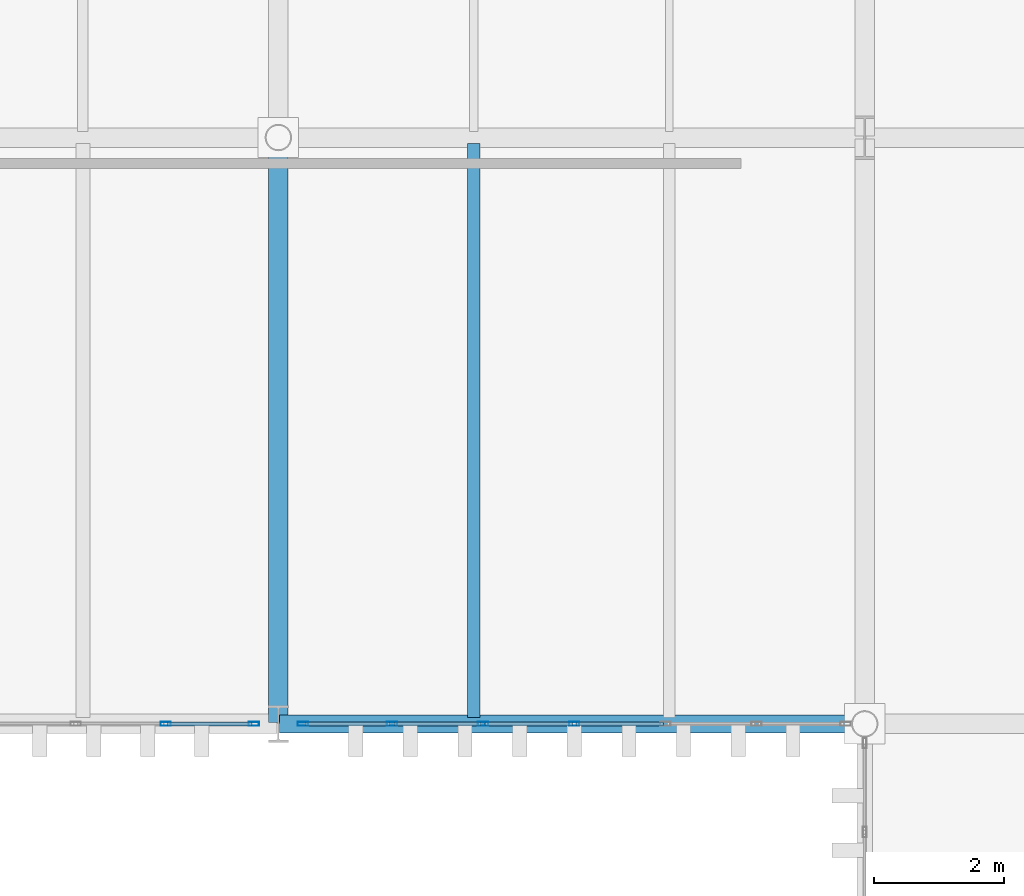
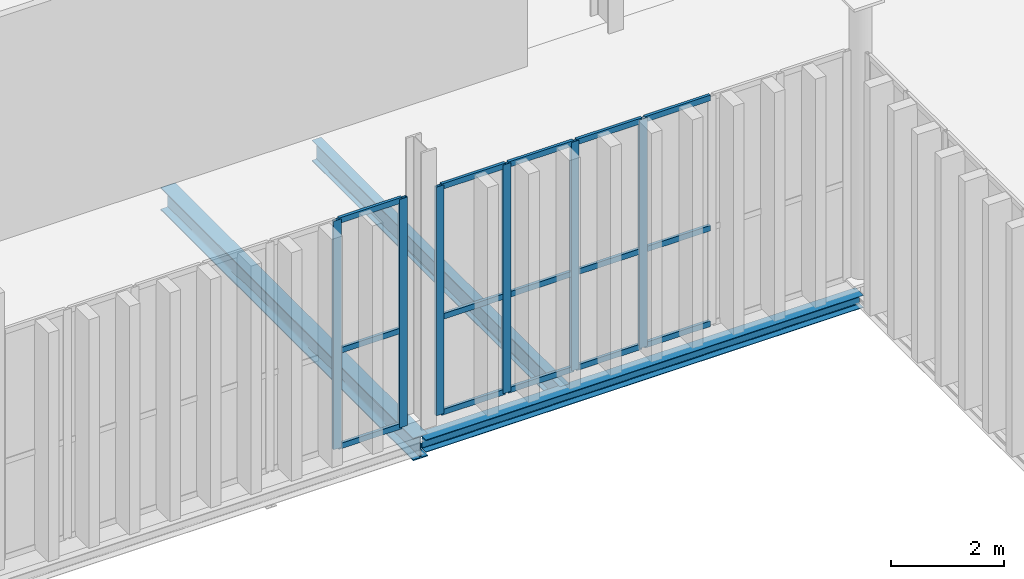
# One storey, part 119 of 211: 21 members, 3 beams, 2 elements without a shape of their own.
"""IFC4 building model written with IfcOpenShell, lengths in metres."""

from ifc_helpers import new_model, si_unit, direction, frame, origin, origin_2d, place, context, subcontext, project, spatial, hollow_rectangle, i_section, extrude, material, layer, layer_set, material_profile, profile_set, type_object, element, aggregate, save


model = new_model("IFC4")

# Units and contexts
model_context = context("Model", 3, precision=1e-05, world=origin(), true_north=direction((0.0, 1.0)))
body_context = subcontext(model_context, "Body", "Model", "MODEL_VIEW")
ifc_project = project(units=[si_unit("LENGTHUNIT", "METRE"), si_unit("AREAUNIT", "SQUARE_METRE"), si_unit("VOLUMEUNIT", "CUBIC_METRE"), si_unit("PLANEANGLEUNIT", "RADIAN"), si_unit("MASSUNIT", "GRAM", prefix="KILO")], contexts=[model_context])

# Site, building, storey
site_placement = place(None, origin())
site = spatial("IfcSite", under=ifc_project, at=site_placement, CompositionType="ELEMENT")
building_placement = place(site_placement, origin())
building = spatial("IfcBuilding", under=site, at=building_placement, Name="Barlavento Convention Centre", CompositionType="ELEMENT")
storey_placement = place(building_placement, frame((0.0, 0.0, 6.0)))
storey = spatial("IfcBuildingStorey", under=building, at=storey_placement, Name="L01", CompositionType="ELEMENT", Elevation=6.0)

# Curtain wall, members
ifc_material_1 = material(Name="Powder-coated aluminium and Low-E glass", Category="aluminium")
ifc_layer = layer(ifc_material_1, 0.195068359375)
ifc_layer_set = layer_set([ifc_layer], Name="ARC-CW-PATIO-A")
curtain_wall_type = type_object("IfcCurtainWallType", Name="ARC-CW-PATIO-A", PredefinedType="NOTDEFINED", material=ifc_layer_set)
curtain_wall_1_placement = place(storey_placement, origin())
curtain_wall_1 = element("IfcCurtainWall", 1, at=curtain_wall_1_placement, inside=storey, type_object=curtain_wall_type, Name="L01 unitised curtain wall CW11", PredefinedType="NOTDEFINED")
ifc_material_2 = material(Name="Powder-coated aluminium", Category="aluminium")
ifc_material_profile_1 = material_profile(ifc_material_2, hollow_rectangle(XDim=0.06005859375, YDim=0.159912109375, WallThickness=0.00390625, at=origin_2d()), Name="AL-MULL 60x160x4")
ifc_profile_set_1 = profile_set([ifc_material_profile_1], Name="Powder-coated aluminium")
member_type_1 = type_object("IfcMemberType", Name="ARC-CWM-60X160", PredefinedType="MULLION", material=ifc_profile_set_1)
member_1_placement = place(storey_placement, frame((160.271728515625, 90.0, 0.0), z_axis=(0.0, 0.0, 1.0), x_axis=(0.0, 1.0, 0.0)))
member_1 = element("IfcMember", 2, at=member_1_placement, type_object=member_type_1, Name="CW11 mullion 6", PredefinedType="MULLION", context=body_context, shape_type="SweptSolid", body=[
    extrude(hollow_rectangle(XDim=0.06005859375, YDim=0.159912109375, WallThickness=0.00390625, at=origin_2d()), origin(), (0.0, 0.0, 1.0), 4.949951171875),
])
member_2_placement = place(storey_placement, frame((161.6240234375, 90.0, 0.0), z_axis=(0.0, 0.0, 1.0), x_axis=(0.0, 1.0, 0.0)))
member_2 = element("IfcMember", 3, at=member_2_placement, type_object=member_type_1, Name="CW11 mullion 7", PredefinedType="MULLION", context=body_context, shape_type="SweptSolid", body=[
    extrude(hollow_rectangle(XDim=0.06005859375, YDim=0.159912109375, WallThickness=0.00390625, at=origin_2d()), origin(), (0.0, 0.0, 1.0), 4.949951171875),
])

curtain_wall_2_placement = place(storey_placement, origin())
curtain_wall_2 = element("IfcCurtainWall", 4, at=curtain_wall_2_placement, inside=storey, type_object=curtain_wall_type, Name="L01 unitised curtain wall CW11", PredefinedType="NOTDEFINED")
member_3_placement = place(storey_placement, frame((162.3759765625, 90.0, 0.0), z_axis=(0.0, 0.0, 1.0), x_axis=(0.0, 1.0, 0.0)))
member_3 = element("IfcMember", 5, at=member_3_placement, type_object=member_type_1, Name="CW11 mullion 1", PredefinedType="MULLION", context=body_context, shape_type="SweptSolid", body=[
    extrude(hollow_rectangle(XDim=0.06005859375, YDim=0.159912109375, WallThickness=0.00390625, at=origin_2d()), origin(), (0.0, 0.0, 1.0), 4.949951171875),
])
member_4_placement = place(storey_placement, frame((163.744384765625, 90.0, 0.0), z_axis=(0.0, 0.0, 1.0), x_axis=(0.0, 1.0, 0.0)))
member_4 = element("IfcMember", 6, at=member_4_placement, type_object=member_type_1, Name="CW11 mullion 2", PredefinedType="MULLION", context=body_context, shape_type="SweptSolid", body=[
    extrude(hollow_rectangle(XDim=0.06005859375, YDim=0.159912109375, WallThickness=0.00390625, at=origin_2d()), origin(), (0.0, 0.0, 1.0), 4.949951171875),
])
member_5_placement = place(storey_placement, frame((165.142822265625, 90.0, 0.0), z_axis=(0.0, 0.0, 1.0), x_axis=(0.0, 1.0, 0.0)))
member_5 = element("IfcMember", 7, at=member_5_placement, type_object=member_type_1, Name="CW11 mullion 3", PredefinedType="MULLION", context=body_context, shape_type="SweptSolid", body=[
    extrude(hollow_rectangle(XDim=0.06005859375, YDim=0.159912109375, WallThickness=0.00390625, at=origin_2d()), origin(), (0.0, 0.0, 1.0), 4.949951171875),
])
member_6_placement = place(storey_placement, frame((166.54150390625, 90.0, 0.0), z_axis=(0.0, 0.0, 1.0), x_axis=(0.0, 1.0, 0.0)))
member_6 = element("IfcMember", 8, at=member_6_placement, type_object=member_type_1, Name="CW11 mullion 4", PredefinedType="MULLION", context=body_context, shape_type="SweptSolid", body=[
    extrude(hollow_rectangle(XDim=0.06005859375, YDim=0.159912109375, WallThickness=0.00390625, at=origin_2d()), origin(), (0.0, 0.0, 1.0), 4.949951171875),
])

# Member
ifc_material_profile_2 = material_profile(ifc_material_2, hollow_rectangle(XDim=0.06005859375, YDim=0.1201171875, WallThickness=0.00390625, at=origin_2d()), Name="AL-TRAN 60x120x4")
ifc_profile_set_2 = profile_set([ifc_material_profile_2], Name="Powder-coated aluminium")
member_type_2 = type_object("IfcMemberType", Name="ARC-CWT-60X120", PredefinedType="USERDEFINED", material=ifc_profile_set_2)
member_7_placement = place(storey_placement, frame((160.3017578125, 90.0, 0.030029296875), z_axis=(1.0, 0.0, 0.0), x_axis=(0.0, 1.0, 0.0)))
member_7 = element("IfcMember", 9, at=member_7_placement, type_object=member_type_2, Name="CW11 transom 6.1", ObjectType="TRANSOM", PredefinedType="USERDEFINED", context=body_context, shape_type="SweptSolid", body=[
    extrude(hollow_rectangle(XDim=0.06005859375, YDim=0.1201171875, WallThickness=0.00390625, at=origin_2d()), origin(), (0.0, 0.0, 1.0), 1.292236328125),
])

member_8_placement = place(storey_placement, frame((160.3017578125, 90.0, 2.10009765625), z_axis=(1.0, 0.0, 0.0), x_axis=(0.0, 1.0, 0.0)))
member_8 = element("IfcMember", 10, at=member_8_placement, type_object=member_type_2, Name="CW11 transom 6.2", ObjectType="TRANSOM", PredefinedType="USERDEFINED", context=body_context, shape_type="SweptSolid", body=[
    extrude(hollow_rectangle(XDim=0.06005859375, YDim=0.1201171875, WallThickness=0.00390625, at=origin_2d()), origin(), (0.0, 0.0, 1.0), 1.292236328125),
])

member_9_placement = place(storey_placement, frame((160.3017578125, 90.0, 4.919921875), z_axis=(1.0, 0.0, 0.0), x_axis=(0.0, 1.0, 0.0)))
member_9 = element("IfcMember", 11, at=member_9_placement, type_object=member_type_2, Name="CW11 transom 6.3", ObjectType="TRANSOM", PredefinedType="USERDEFINED", context=body_context, shape_type="SweptSolid", body=[
    extrude(hollow_rectangle(XDim=0.06005859375, YDim=0.1201171875, WallThickness=0.00390625, at=origin_2d()), origin(), (0.0, 0.0, 1.0), 1.292236328125),
])

aggregate(curtain_wall_1, [member_1, member_2, member_7, member_8, member_9])

member_10_placement = place(storey_placement, frame((162.406005859375, 90.0, 0.030029296875), z_axis=(1.0, 0.0, 0.0), x_axis=(0.0, 1.0, 0.0)))
member_10 = element("IfcMember", 12, at=member_10_placement, type_object=member_type_2, Name="CW11 transom 1.1", ObjectType="TRANSOM", PredefinedType="USERDEFINED", context=body_context, shape_type="SweptSolid", body=[
    extrude(hollow_rectangle(XDim=0.06005859375, YDim=0.1201171875, WallThickness=0.00390625, at=origin_2d()), origin(), (0.0, 0.0, 1.0), 1.308349609375),
])

member_11_placement = place(storey_placement, frame((162.406005859375, 90.0, 2.10009765625), z_axis=(1.0, 0.0, 0.0), x_axis=(0.0, 1.0, 0.0)))
member_11 = element("IfcMember", 13, at=member_11_placement, type_object=member_type_2, Name="CW11 transom 1.2", ObjectType="TRANSOM", PredefinedType="USERDEFINED", context=body_context, shape_type="SweptSolid", body=[
    extrude(hollow_rectangle(XDim=0.06005859375, YDim=0.1201171875, WallThickness=0.00390625, at=origin_2d()), origin(), (0.0, 0.0, 1.0), 1.308349609375),
])

member_12_placement = place(storey_placement, frame((162.406005859375, 90.0, 4.919921875), z_axis=(1.0, 0.0, 0.0), x_axis=(0.0, 1.0, 0.0)))
member_12 = element("IfcMember", 14, at=member_12_placement, type_object=member_type_2, Name="CW11 transom 1.3", ObjectType="TRANSOM", PredefinedType="USERDEFINED", context=body_context, shape_type="SweptSolid", body=[
    extrude(hollow_rectangle(XDim=0.06005859375, YDim=0.1201171875, WallThickness=0.00390625, at=origin_2d()), origin(), (0.0, 0.0, 1.0), 1.308349609375),
])

member_13_placement = place(storey_placement, frame((163.7744140625, 90.0, 0.030029296875), z_axis=(1.0, 0.0, 0.0), x_axis=(0.0, 1.0, 0.0)))
member_13 = element("IfcMember", 15, at=member_13_placement, type_object=member_type_2, Name="CW11 transom 2.1", ObjectType="TRANSOM", PredefinedType="USERDEFINED", context=body_context, shape_type="SweptSolid", body=[
    extrude(hollow_rectangle(XDim=0.06005859375, YDim=0.1201171875, WallThickness=0.00390625, at=origin_2d()), origin(), (0.0, 0.0, 1.0), 1.338623046875),
])

member_14_placement = place(storey_placement, frame((163.7744140625, 90.0, 2.10009765625), z_axis=(1.0, 0.0, 0.0), x_axis=(0.0, 1.0, 0.0)))
member_14 = element("IfcMember", 16, at=member_14_placement, type_object=member_type_2, Name="CW11 transom 2.2", ObjectType="TRANSOM", PredefinedType="USERDEFINED", context=body_context, shape_type="SweptSolid", body=[
    extrude(hollow_rectangle(XDim=0.06005859375, YDim=0.1201171875, WallThickness=0.00390625, at=origin_2d()), origin(), (0.0, 0.0, 1.0), 1.338623046875),
])

member_15_placement = place(storey_placement, frame((163.7744140625, 90.0, 4.919921875), z_axis=(1.0, 0.0, 0.0), x_axis=(0.0, 1.0, 0.0)))
member_15 = element("IfcMember", 17, at=member_15_placement, type_object=member_type_2, Name="CW11 transom 2.3", ObjectType="TRANSOM", PredefinedType="USERDEFINED", context=body_context, shape_type="SweptSolid", body=[
    extrude(hollow_rectangle(XDim=0.06005859375, YDim=0.1201171875, WallThickness=0.00390625, at=origin_2d()), origin(), (0.0, 0.0, 1.0), 1.338623046875),
])

member_16_placement = place(storey_placement, frame((165.1728515625, 90.0, 0.030029296875), z_axis=(1.0, 0.0, 0.0), x_axis=(0.0, 1.0, 0.0)))
member_16 = element("IfcMember", 18, at=member_16_placement, type_object=member_type_2, Name="CW11 transom 3.1", ObjectType="TRANSOM", PredefinedType="USERDEFINED", context=body_context, shape_type="SweptSolid", body=[
    extrude(hollow_rectangle(XDim=0.06005859375, YDim=0.1201171875, WallThickness=0.00390625, at=origin_2d()), origin(), (0.0, 0.0, 1.0), 1.338623046875),
])

member_17_placement = place(storey_placement, frame((165.1728515625, 90.0, 2.10009765625), z_axis=(1.0, 0.0, 0.0), x_axis=(0.0, 1.0, 0.0)))
member_17 = element("IfcMember", 19, at=member_17_placement, type_object=member_type_2, Name="CW11 transom 3.2", ObjectType="TRANSOM", PredefinedType="USERDEFINED", context=body_context, shape_type="SweptSolid", body=[
    extrude(hollow_rectangle(XDim=0.06005859375, YDim=0.1201171875, WallThickness=0.00390625, at=origin_2d()), origin(), (0.0, 0.0, 1.0), 1.338623046875),
])

member_18_placement = place(storey_placement, frame((165.1728515625, 90.0, 4.919921875), z_axis=(1.0, 0.0, 0.0), x_axis=(0.0, 1.0, 0.0)))
member_18 = element("IfcMember", 20, at=member_18_placement, type_object=member_type_2, Name="CW11 transom 3.3", ObjectType="TRANSOM", PredefinedType="USERDEFINED", context=body_context, shape_type="SweptSolid", body=[
    extrude(hollow_rectangle(XDim=0.06005859375, YDim=0.1201171875, WallThickness=0.00390625, at=origin_2d()), origin(), (0.0, 0.0, 1.0), 1.338623046875),
])

member_19_placement = place(storey_placement, frame((166.5712890625, 90.0, 0.030029296875), z_axis=(1.0, 0.0, 0.0), x_axis=(0.0, 1.0, 0.0)))
member_19 = element("IfcMember", 21, at=member_19_placement, type_object=member_type_2, Name="CW11 transom 4.1", ObjectType="TRANSOM", PredefinedType="USERDEFINED", context=body_context, shape_type="SweptSolid", body=[
    extrude(hollow_rectangle(XDim=0.06005859375, YDim=0.1201171875, WallThickness=0.00390625, at=origin_2d()), origin(), (0.0, 0.0, 1.0), 1.338623046875),
])

member_20_placement = place(storey_placement, frame((166.5712890625, 90.0, 2.10009765625), z_axis=(1.0, 0.0, 0.0), x_axis=(0.0, 1.0, 0.0)))
member_20 = element("IfcMember", 22, at=member_20_placement, type_object=member_type_2, Name="CW11 transom 4.2", ObjectType="TRANSOM", PredefinedType="USERDEFINED", context=body_context, shape_type="SweptSolid", body=[
    extrude(hollow_rectangle(XDim=0.06005859375, YDim=0.1201171875, WallThickness=0.00390625, at=origin_2d()), origin(), (0.0, 0.0, 1.0), 1.338623046875),
])

member_21_placement = place(storey_placement, frame((166.5712890625, 90.0, 4.919921875), z_axis=(1.0, 0.0, 0.0), x_axis=(0.0, 1.0, 0.0)))
member_21 = element("IfcMember", 23, at=member_21_placement, type_object=member_type_2, Name="CW11 transom 4.3", ObjectType="TRANSOM", PredefinedType="USERDEFINED", context=body_context, shape_type="SweptSolid", body=[
    extrude(hollow_rectangle(XDim=0.06005859375, YDim=0.1201171875, WallThickness=0.00390625, at=origin_2d()), origin(), (0.0, 0.0, 1.0), 1.338623046875),
])

aggregate(curtain_wall_2, [member_3, member_4, member_5, member_6, member_10, member_11, member_12, member_13, member_14, member_15, member_16, member_17, member_18, member_19, member_20, member_21])

# Beams
ifc_material_3 = material(Name="Steel S355", Category="steel")
ifc_material_profile_3 = material_profile(ifc_material_3, i_section(OverallWidth=0.18994140625, OverallDepth=0.449951171875, WebThickness=0.009521484375, FlangeThickness=0.0146484375, FilletRadius=0.02099609375, at=origin_2d()), Name="IPE 450")
ifc_profile_set_3 = profile_set([ifc_material_profile_3], Name="Steel S355")
beam_type_1 = type_object("IfcBeamType", Name="STR-BM-JST-IPE450", PredefinedType="JOIST", material=ifc_profile_set_3)
beam_1_placement = place(storey_placement, frame((165.0, 90.094970703125, -0.5849609375), z_axis=(0.0, 1.0, 0.0), x_axis=(-1.0, 0.0, 0.0)))
element("IfcBeam", 24, at=beam_1_placement, inside=storey, type_object=beam_type_1, Name="L01 composite floor joist SJ03", PredefinedType="JOIST", context=body_context, shape_type="SweptSolid", body=[
    extrude(i_section(OverallWidth=0.18994140625, OverallDepth=0.449951171875, WebThickness=0.009521484375, FlangeThickness=0.0146484375, FilletRadius=0.02099609375, at=origin_2d()), origin(), (0.0, 0.0, 1.0), 8.81005859375),
])
ifc_material_profile_4 = material_profile(ifc_material_3, i_section(OverallWidth=0.300048828125, OverallDepth=0.489990234375, WebThickness=0.011962890625, FlangeThickness=0.02294921875, FilletRadius=0.027099609375, at=origin_2d()), Name="HEA 500")
ifc_profile_set_4 = profile_set([ifc_material_profile_4], Name="Steel S355")
beam_type_2 = type_object("IfcBeamType", Name="STR-BM-PRI-HEA500", PredefinedType="BEAM", material=ifc_profile_set_4)
beam_2_placement = place(storey_placement, frame((162.0, 90.02001953125, -0.60498046875), z_axis=(0.0, 1.0, 0.0), x_axis=(-1.0, 0.0, 0.0)))
element("IfcBeam", 25, at=beam_2_placement, inside=storey, type_object=beam_type_2, Name="L01 grid girder BG20", PredefinedType="BEAM", context=body_context, shape_type="SweptSolid", body=[
    extrude(i_section(OverallWidth=0.300048828125, OverallDepth=0.489990234375, WebThickness=0.011962890625, FlangeThickness=0.02294921875, FilletRadius=0.027099609375, at=origin_2d()), origin(), (0.0, 0.0, 1.0), 8.9599609375),
])
ifc_material_profile_5 = material_profile(ifc_material_3, i_section(OverallWidth=0.280029296875, OverallDepth=0.27001953125, WebThickness=0.008056640625, FlangeThickness=0.012939453125, FilletRadius=0.02392578125, at=origin_2d()), Name="HEA 280")
ifc_profile_set_5 = profile_set([ifc_material_profile_5], Name="Steel S355")
beam_type_3 = type_object("IfcBeamType", Name="STR-BM-SPN-HEA280", PredefinedType="SPANDREL", material=ifc_profile_set_5)
beam_3_placement = place(storey_placement, frame((162.02001953125, 90.0, -0.4951171875), z_axis=(1.0, 0.0, 0.0), x_axis=(0.0, 1.0, 0.0)))
element("IfcBeam", 26, at=beam_3_placement, inside=storey, type_object=beam_type_3, Name="L01 primary girder SP03", PredefinedType="SPANDREL", context=body_context, shape_type="SweptSolid", body=[
    extrude(i_section(OverallWidth=0.280029296875, OverallDepth=0.27001953125, WebThickness=0.008056640625, FlangeThickness=0.012939453125, FilletRadius=0.02392578125, at=origin_2d()), origin(), (0.0, 0.0, 1.0), 8.9599609375),
])

save(model, "model.ifc")
